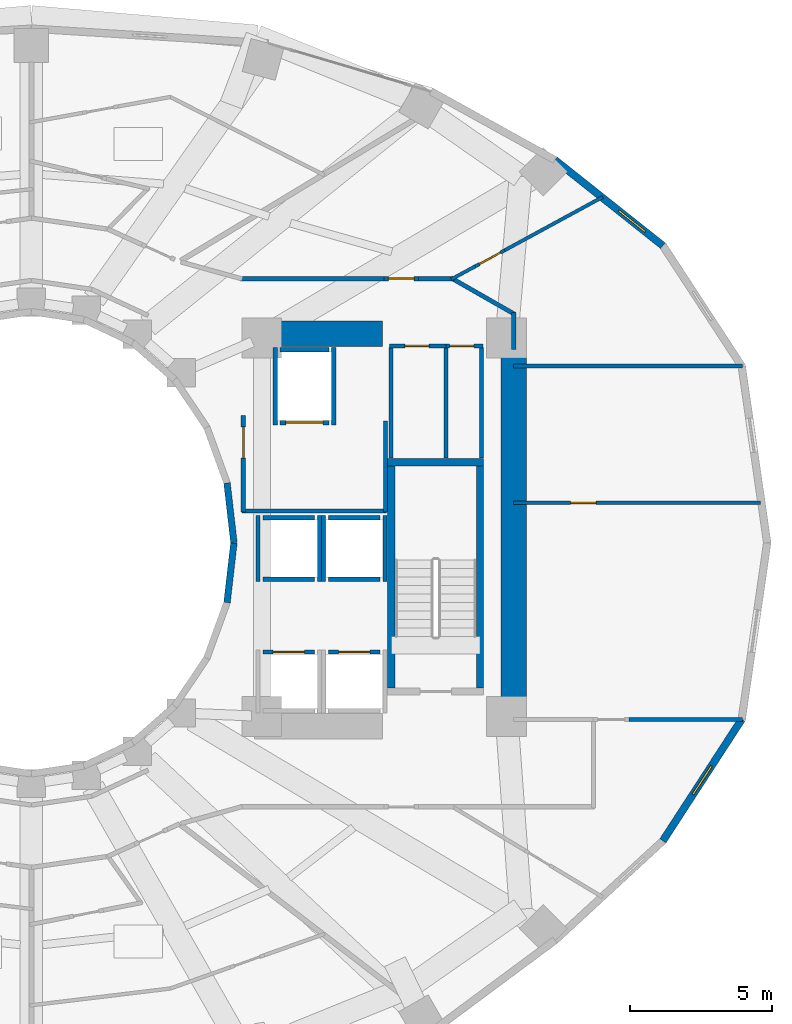
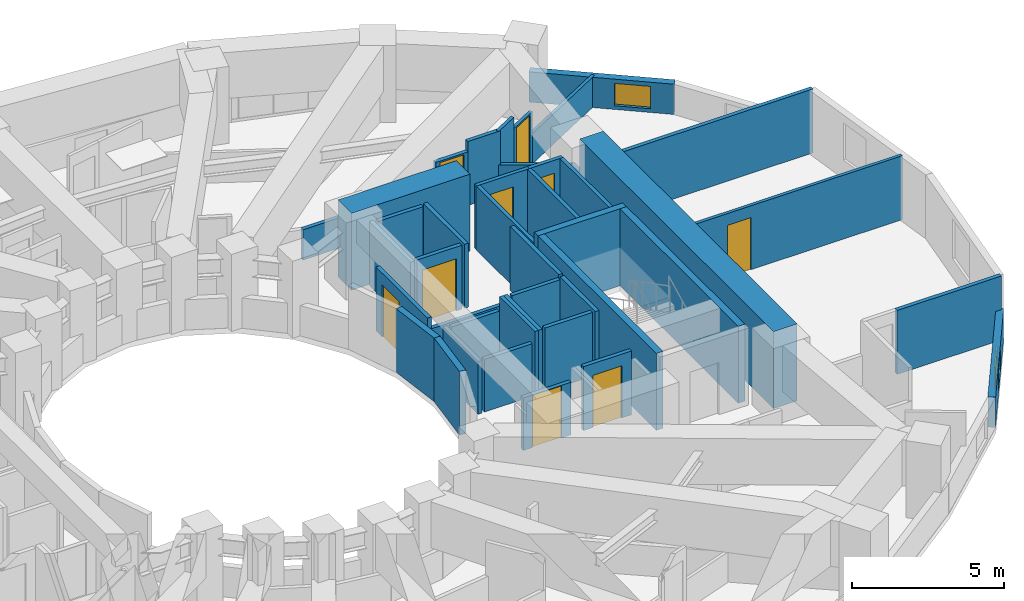
# One storey, part 12 of 16: 42 walls, 9 doors, 2 windows, 11 openings.
"""IFC4 building model written with IfcOpenShell, lengths in metres."""

from ifc_helpers import new_model, si_unit, direction, frame, frame_2d, origin, place, context, subcontext, project, spatial, rectangle, extrude, material, layer, layer_set, type_object, element, fill, save


model = new_model("IFC4")

# Units and contexts
model_context = context("Model", 3, precision=1e-05, world=origin(), true_north=direction((0.0, 1.0)))
body_context = subcontext(model_context, "Body", "Model", "MODEL_VIEW")
ifc_project = project(units=[si_unit("LENGTHUNIT", "METRE"), si_unit("AREAUNIT", "SQUARE_METRE"), si_unit("VOLUMEUNIT", "CUBIC_METRE"), si_unit("PLANEANGLEUNIT", "RADIAN"), si_unit("MASSUNIT", "GRAM", prefix="KILO")], contexts=[model_context])

# Site, building, storey
site_placement = place(None, origin())
site = spatial("IfcSite", under=ifc_project, at=site_placement, CompositionType="ELEMENT")
building_placement = place(site_placement, origin())
building = spatial("IfcBuilding", under=site, at=building_placement, Name="Solvane Sanctuary Tower", CompositionType="ELEMENT")
storey_placement = place(building_placement, frame((0.0, 0.0, 61.699951171875)))
storey = spatial("IfcBuildingStorey", under=building, at=storey_placement, Name="L18", CompositionType="ELEMENT", Elevation=61.699951171875)

# Walls
ifc_material_1 = material(Name="Concrete C70/85", Category="concrete")
ifc_layer_1 = layer(ifc_material_1, 0.89990234375, Name="Concrete C70/85")
ifc_layer_set_1 = layer_set([ifc_layer_1], Name="Concrete C70/85")
wall_type_1 = type_object("IfcWallType", Name="Wall W-CORE-900", PredefinedType="SHEAR", material=ifc_layer_set_1)
wall_1_placement = place(storey_placement, frame((48.949951171875, 17.050048828125, 0.0), z_axis=(0.0, 0.0, 1.0), x_axis=(0.0, 1.0, 0.0)))
element("IfcWall", 1, at=wall_1_placement, inside=storey, type_object=wall_type_1, Name="L18 Core Shear Wall EC-E", PredefinedType="SHEAR", context=body_context, shape_type="SweptSolid", body=[
    extrude(rectangle(XDim=12.800048828125, YDim=0.89990234375, at=frame_2d((6.39990234375, 0.0))), origin(), (0.0, 0.0, 1.0), 3.10009765625),
])
wall_2_placement = place(storey_placement, frame((39.85009765625, 30.35009765625, 0.0), z_axis=(0.0, 0.0, 1.0), x_axis=(1.0, 0.0, 0.0)))
element("IfcWall", 2, at=wall_2_placement, inside=storey, type_object=wall_type_1, Name="L18 Core Shear Wall EC-N", PredefinedType="SHEAR", context=body_context, shape_type="SweptSolid", body=[
    extrude(rectangle(XDim=4.5, YDim=0.89990234375, at=frame_2d((2.25, 0.0))), origin(), (0.0, 0.0, 1.0), 3.10009765625),
])
ifc_material_2 = material(Name="Acoustic Gypsum Partition Board")
ifc_layer_2 = layer(ifc_material_2, 0.14990234375, Name="Acoustic Gypsum Partition Board")
ifc_layer_set_2 = layer_set([ifc_layer_2], Name="Acoustic Gypsum Partition Board")
wall_type_2 = type_object("IfcWallType", Name="Wall W-CORR-150", PredefinedType="PARTITIONING", material=ifc_layer_set_2)
wall_3_placement = place(storey_placement, frame((39.39990234375, 24.1201171875, 0.0), z_axis=(0.0, 0.0, 1.0), x_axis=(1.0, 0.0, 0.0)))
element("IfcWall", 3, at=wall_3_placement, inside=storey, type_object=wall_type_2, Name="L18 East Firefighting Lobby South Wall", PredefinedType="PARTITIONING", context=body_context, shape_type="SweptSolid", body=[
    extrude(rectangle(XDim=5.080078125, YDim=0.14990234375, at=frame_2d((2.5400390625, 0.0))), origin(), (0.0, 0.0, 1.0), 2.1201171875),
])
wall_4_placement = place(storey_placement, frame((44.449951171875, 24.080078125, 0.0), z_axis=(0.0, 0.0, 1.0), x_axis=(0.0, 1.0, 0.0)))
element("IfcWall", 4, at=wall_4_placement, inside=storey, type_object=wall_type_2, Name="L18 East Firefighting Lobby East Wall", PredefinedType="PARTITIONING", context=body_context, shape_type="SweptSolid", body=[
    extrude(rectangle(XDim=3.199951171875, YDim=0.14990234375, at=frame_2d((1.60009765625, 0.0))), origin(), (0.0, 0.0, 1.0), 2.574951171875),
])

# Wall, opening, door
wall_5_placement = place(storey_placement, frame((39.449951171875, 24.080078125, 0.0), z_axis=(0.0, 0.0, 1.0), x_axis=(0.0, 1.0, 0.0)))
wall_5 = element("IfcWall", 5, at=wall_5_placement, inside=storey, type_object=wall_type_2, Name="L18 East Firefighting Lobby West Wall", PredefinedType="PARTITIONING", context=body_context, shape_type="SweptSolid", body=[
    extrude(rectangle(XDim=3.39990234375, YDim=0.14990234375, at=frame_2d((1.699951171875, 0.0))), origin(), (0.0, 0.0, 1.0), 2.574951171875),
])
opening_1_placement = place(wall_5_placement, frame((1.893798828125, 0.0, 0.0)))
opening_1 = element("IfcOpeningElement", 6, at=opening_1_placement, cuts=wall_5, Name="Opening D-L18-05", PredefinedType="OPENING", context=body_context, shape_type="SweptSolid", body=[
    extrude(rectangle(XDim=1.10009765625, YDim=2.10009765625, at=frame_2d((0.550048828125, 1.050048828125))), frame((0.0, 0.0849609375, 0.0), z_axis=(0.0, -1.0, 0.0), x_axis=(1.0, 0.0, 0.0)), (0.0, 0.0, 1.0), 0.169921875),
])
ifc_material_3 = material(Name="Architectural Stainless Steel 316", Category="steel")
door_type_1 = type_object("IfcDoorType", Name="Door D-FFL", OperationType="NOTDEFINED", PredefinedType="DOOR", material=ifc_material_3)
door_1_placement = place(opening_1_placement, origin())
door_1 = element("IfcDoor", 7, at=door_1_placement, inside=storey, type_object=door_type_1, Name="L18 East Firefighting Lobby Fire Door", OperationType="SINGLE_SWING_RIGHT", OverallHeight=2.10009765625, OverallWidth=1.10009765625, PredefinedType="DOOR", context=body_context, shape_type="SweptSolid", body=[
    extrude(rectangle(XDim=1.10009765625, YDim=2.10009765625, at=frame_2d((0.550048828125, 1.050048828125))), frame((0.0, 0.02490234375, 0.0), z_axis=(0.0, -1.0, 0.0), x_axis=(1.0, 0.0, 0.0)), (0.0, 0.0, 1.0), 0.050048828125),
])
fill(opening_1, door_1)

# Walls
wall_6_placement = place(storey_placement, frame((53.012939453125, 16.788330078125, 0.0), z_axis=(0.0, 0.0, 1.0), x_axis=(1.0, 0.0, 0.0)))
element("IfcWall", 8, at=wall_6_placement, inside=storey, type_object=wall_type_2, Name="L18 East Shoulder South Wall", PredefinedType="PARTITIONING", context=body_context, shape_type="SweptSolid", body=[
    extrude(rectangle(XDim=3.973388671875, YDim=0.14990234375, at=frame_2d((1.98681640625, 0.0))), origin(), (0.0, 0.0, 1.0), 2.574951171875),
])
wall_7_placement = place(storey_placement, frame((48.949951171875, 29.211669921875, 0.0), z_axis=(0.0, 0.0, 1.0), x_axis=(1.0, 0.0, 0.0)))
element("IfcWall", 9, at=wall_7_placement, inside=storey, type_object=wall_type_2, Name="L18 East Shoulder North Wall", PredefinedType="PARTITIONING", context=body_context, shape_type="SweptSolid", body=[
    extrude(rectangle(XDim=8.036376953125, YDim=0.14990234375, at=frame_2d((4.01806640625, 0.0))), origin(), (0.0, 0.0, 1.0), 2.574951171875),
])
wall_8_placement = place(storey_placement, frame((48.949951171875, 29.800048828125, 0.0), z_axis=(0.0, 0.0, 1.0), x_axis=(0.0, 1.0, 0.0)))
element("IfcWall", 10, at=wall_8_placement, inside=storey, type_object=wall_type_2, Name="L18 NE Corner Closer 1", PredefinedType="PARTITIONING", context=body_context, shape_type="SweptSolid", body=[
    extrude(rectangle(XDim=1.2900390625, YDim=0.14990234375, at=frame_2d((0.64501953125, 0.0))), origin(), (0.0, 0.0, 1.0), 1.219970703125),
])
wall_9_placement = place(storey_placement, frame((39.330078125, 32.280029296875, 0.0), z_axis=(0.0, 0.0, 1.0), x_axis=(1.0, 0.0, 0.0)))
element("IfcWall", 11, at=wall_9_placement, inside=storey, type_object=wall_type_2, Name="L18 NE Corner Corridor Wall", PredefinedType="PARTITIONING", context=body_context, shape_type="SweptSolid", body=[
    extrude(rectangle(XDim=5.059814453125, YDim=0.14990234375, at=frame_2d((2.52978515625, 0.0))), origin(), (0.0, 0.0, 1.0), 1.219970703125),
])

# Wall, opening, door
wall_10_placement = place(storey_placement, frame((44.389892578125, 32.280029296875, 0.0), z_axis=(0.0, 0.0, 1.0), x_axis=(1.0, 0.0, 0.0)))
wall_10 = element("IfcWall", 12, at=wall_10_placement, inside=storey, type_object=wall_type_2, Name="L18 NE Corner Corridor Wall", PredefinedType="PARTITIONING", context=body_context, shape_type="SweptSolid", body=[
    extrude(rectangle(XDim=1.22021484375, YDim=0.14990234375, at=frame_2d((0.610107421875, 0.0))), origin(), (0.0, 0.0, 1.0), 2.16015625),
])
opening_2_placement = place(wall_10_placement, frame((0.159912109375, 0.0, 0.0)))
opening_2 = element("IfcOpeningElement", 13, at=opening_2_placement, cuts=wall_10, Name="Opening D-L18-14", PredefinedType="OPENING", context=body_context, shape_type="SweptSolid", body=[
    extrude(rectangle(XDim=0.89990234375, YDim=2.10009765625, at=frame_2d((0.449951171875, 1.050048828125))), frame((0.0, 0.0849609375, 0.0), z_axis=(0.0, -1.0, 0.0), x_axis=(1.0, 0.0, 0.0)), (0.0, 0.0, 1.0), 0.169921875),
])
ifc_material_4 = material(Name="Engineered Tropical Hardwood", Category="wood")
door_type_2 = type_object("IfcDoorType", Name="Door D-WET-900", OperationType="NOTDEFINED", PredefinedType="DOOR", material=ifc_material_4)
door_2_placement = place(opening_2_placement, origin())
door_2 = element("IfcDoor", 14, at=door_2_placement, inside=storey, type_object=door_type_2, Name="L18 NE Corner Salon Door", OperationType="SINGLE_SWING_LEFT", OverallHeight=2.10009765625, OverallWidth=0.89990234375, PredefinedType="DOOR", context=body_context, shape_type="SweptSolid", body=[
    extrude(rectangle(XDim=0.89990234375, YDim=2.10009765625, at=frame_2d((0.449951171875, 1.050048828125))), frame((0.0, 0.02490234375, 0.0), z_axis=(0.0, -1.0, 0.0), x_axis=(1.0, 0.0, 0.0)), (0.0, 0.0, 1.0), 0.050048828125),
])
fill(opening_2, door_2)

# Walls
wall_11_placement = place(storey_placement, frame((45.610107421875, 32.280029296875, 0.0), z_axis=(0.0, 0.0, 1.0), x_axis=(1.0, 0.0, 0.0)))
element("IfcWall", 15, at=wall_11_placement, inside=storey, type_object=wall_type_2, Name="L18 NE Corner Corridor Wall", PredefinedType="PARTITIONING", context=body_context, shape_type="SweptSolid", body=[
    extrude(rectangle(XDim=1.239990234375, YDim=0.14990234375, at=frame_2d((0.6201171875, 0.0))), origin(), (0.0, 0.0, 1.0), 2.574951171875),
])
wall_12_placement = place(storey_placement, frame((46.756591796875, 32.3046875, 0.0), z_axis=(0.0, 0.0, 1.0), x_axis=(0.867991349648, -0.496579315857, 0.0)))
element("IfcWall", 16, at=wall_12_placement, inside=storey, type_object=wall_type_2, Name="L18 NE Corner Wing Wall", PredefinedType="PARTITIONING", context=body_context, shape_type="SweptSolid", body=[
    extrude(rectangle(XDim=2.56689453125, YDim=0.14990234375, at=frame_2d((1.283447265625, 0.0))), origin(), (0.0, 0.0, 1.0), 1.219970703125),
])

# Wall, opening, window
ifc_material_5 = material(Name="Precast concrete C40/50", Category="concrete")
ifc_layer_3 = layer(ifc_material_5, 0.260009765625, Name="Precast concrete C40/50")
ifc_layer_set_3 = layer_set([ifc_layer_3], Name="Precast concrete C40/50")
wall_type_3 = type_object("IfcWallType", Name="Wall W-EXT-250", PredefinedType="STANDARD", material=ifc_layer_set_3)
wall_13_placement = place(storey_placement, frame((54.19384765625, 33.44091796875, 0.0), z_axis=(0.0, 0.0, 1.0), x_axis=(-0.783123133379, 0.621866672179, 0.0)))
wall_13 = element("IfcWall", 17, at=wall_13_placement, inside=storey, type_object=wall_type_3, Name="L18 Ceramic-Printed Facade Wall 02", PredefinedType="STANDARD", context=body_context, shape_type="SweptSolid", body=[
    extrude(rectangle(XDim=4.838623046875, YDim=0.260009765625, at=frame_2d((2.41943359375, 0.0))), origin(), (0.0, 0.0, 1.0), 1.219970703125),
])
opening_3_placement = place(wall_13_placement, frame((0.789306640625, 0.0, 0.14990234375)))
opening_3 = element("IfcOpeningElement", 18, at=opening_3_placement, cuts=wall_13, Name="Opening WN-OPER-1200", PredefinedType="OPENING", context=body_context, shape_type="SweptSolid", body=[
    extrude(rectangle(XDim=1.199951171875, YDim=0.89990234375, at=frame_2d((0.60009765625, 0.449951171875))), frame((0.0, 0.139892578125, 0.0), z_axis=(0.0, -1.0, 0.0), x_axis=(1.0, 0.0, 0.0)), (0.0, 0.0, 1.0), 0.280029296875),
])
ifc_material_6 = material(Name="Dark Ceramic-Fritted Low-E Glass", Category="glass")
window_type = type_object("IfcWindowType", Name="Window WN-OPER-1200", PartitioningType="SINGLE_PANEL", PredefinedType="WINDOW", material=ifc_material_6)
window_1_placement = place(opening_3_placement, origin())
window_1 = element("IfcWindow", 19, at=window_1_placement, inside=storey, type_object=window_type, Name="L18 Operable Facade Window 02", OverallHeight=0.89990234375, OverallWidth=1.199951171875, PartitioningType="SINGLE_PANEL", PredefinedType="WINDOW", context=body_context, shape_type="SweptSolid", body=[
    extrude(rectangle(XDim=1.199951171875, YDim=0.89990234375, at=frame_2d((0.60009765625, 0.449951171875))), frame((0.0, 0.030029296875, 0.0), z_axis=(0.0, -1.0, 0.0), x_axis=(1.0, 0.0, 0.0)), (0.0, 0.0, 1.0), 0.06005859375),
])
fill(opening_3, window_1)

wall_14_placement = place(storey_placement, frame((54.19384765625, 12.5244140625, 0.0), z_axis=(0.0, 0.0, 1.0), x_axis=(0.544578722263, 0.838709732421, 0.0)))
wall_14 = element("IfcWall", 20, at=wall_14_placement, inside=storey, type_object=wall_type_3, Name="L18 Ceramic-Printed Facade Wall 22", PredefinedType="STANDARD", context=body_context, shape_type="SweptSolid", body=[
    extrude(rectangle(XDim=5.091552734375, YDim=0.260009765625, at=frame_2d((2.5458984375, 0.0))), origin(), (0.0, 0.0, 1.0), 1.219970703125),
])
opening_4_placement = place(wall_14_placement, frame((1.94580078125, 0.0, 0.14990234375)))
opening_4 = element("IfcOpeningElement", 21, at=opening_4_placement, cuts=wall_14, Name="Opening WN-OPER-1200", PredefinedType="OPENING", context=body_context, shape_type="SweptSolid", body=[
    extrude(rectangle(XDim=1.199951171875, YDim=0.89990234375, at=frame_2d((0.60009765625, 0.449951171875))), frame((0.0, 0.139892578125, 0.0), z_axis=(0.0, -1.0, 0.0), x_axis=(1.0, 0.0, 0.0)), (0.0, 0.0, 1.0), 0.280029296875),
])
window_2_placement = place(opening_4_placement, origin())
window_2 = element("IfcWindow", 22, at=window_2_placement, inside=storey, type_object=window_type, Name="L18 Operable Facade Window 22", OverallHeight=0.89990234375, OverallWidth=1.199951171875, PartitioningType="SINGLE_PANEL", PredefinedType="WINDOW", context=body_context, shape_type="SweptSolid", body=[
    extrude(rectangle(XDim=1.199951171875, YDim=0.89990234375, at=frame_2d((0.60009765625, 0.449951171875))), frame((0.0, 0.030029296875, 0.0), z_axis=(0.0, -1.0, 0.0), x_axis=(1.0, 0.0, 0.0)), (0.0, 0.0, 1.0), 0.06005859375),
])
fill(opening_4, window_2)

# Walls
ifc_layer_4 = layer(ifc_material_5, 0.22998046875, Name="Precast concrete C40/50")
ifc_layer_set_4 = layer_set([ifc_layer_4], Name="Precast concrete C40/50")
wall_type_4 = type_object("IfcWallType", Name="Wall W-EXT-SP220", PredefinedType="STANDARD", material=ifc_layer_set_4)
for number, where, z_axis, x_axis, name in (
    (23, (39.1201171875, 23.0, 0.0), (0.0, 0.0, 1.0), (-0.114711713601, 0.993398823617, 0.0), "L18 Central Light-Well Wall 00"),
    (24, (38.87744140625, 20.8984375, 0.0), (0.0, 0.0, 1.0), (0.114711713601, 0.993398823617, 0.0), "L18 Central Light-Well Wall 23"),
):
    element("IfcWall", number, at=place(storey_placement, frame(where, z_axis=z_axis, x_axis=x_axis)), inside=storey, type_object=wall_type_4, Name=name, PredefinedType="STANDARD", context=body_context, shape_type="SweptSolid", body=[
        extrude(rectangle(XDim=2.115478515625, YDim=0.22998046875, at=frame_2d((1.0576171875, 0.0))), origin(), (0.0, 0.0, 1.0), 2.56005859375),
    ])

# Wall, opening, door
ifc_layer_5 = layer(ifc_material_2, 0.1201171875, Name="Acoustic Gypsum Partition Board")
ifc_layer_set_5 = layer_set([ifc_layer_5], Name="Acoustic Gypsum Partition Board")
wall_type_5 = type_object("IfcWallType", Name="Wall W-MOV-100", PredefinedType="MOVABLE", material=ifc_layer_set_5)
wall_15_placement = place(storey_placement, frame((48.949951171875, 24.39990234375, 0.0), z_axis=(0.0, 0.0, 1.0), x_axis=(1.0, 0.0, 0.0)))
wall_15 = element("IfcWall", 25, at=wall_15_placement, inside=storey, type_object=wall_type_5, Name="L18 East Suite Partition", PredefinedType="MOVABLE", context=body_context, shape_type="SweptSolid", body=[
    extrude(rectangle(XDim=8.668701171875, YDim=0.1201171875, at=frame_2d((4.33447265625, 0.0))), origin(), (0.0, 0.0, 1.0), 2.574951171875),
])
opening_5_placement = place(wall_15_placement, frame((2.0, 0.0, 0.0)))
opening_5 = element("IfcOpeningElement", 26, at=opening_5_placement, cuts=wall_15, Name="Opening D-L18-11", PredefinedType="OPENING", context=body_context, shape_type="SweptSolid", body=[
    extrude(rectangle(XDim=0.89990234375, YDim=2.10009765625, at=frame_2d((0.449951171875, 1.050048828125))), frame((0.0, 0.070068359375, 0.0), z_axis=(0.0, -1.0, 0.0), x_axis=(1.0, 0.0, 0.0)), (0.0, 0.0, 1.0), 0.14013671875),
])
door_3_placement = place(opening_5_placement, origin())
door_3 = element("IfcDoor", 27, at=door_3_placement, inside=storey, type_object=door_type_2, Name="L18 East Suite Internal Door", OperationType="SINGLE_SWING_RIGHT", OverallHeight=2.10009765625, OverallWidth=0.89990234375, PredefinedType="DOOR", context=body_context, shape_type="SweptSolid", body=[
    extrude(rectangle(XDim=0.89990234375, YDim=2.10009765625, at=frame_2d((0.449951171875, 1.050048828125))), frame((0.0, 0.02490234375, 0.0), z_axis=(0.0, -1.0, 0.0), x_axis=(1.0, 0.0, 0.0)), (0.0, 0.0, 1.0), 0.050048828125),
])
fill(opening_5, door_3)

# Wall
wall_16_placement = place(storey_placement, frame((46.756103515625, 32.256103515625, 0.0), z_axis=(0.0, 0.0, 1.0), x_axis=(0.878580692024, 0.477593935894, 0.0)))
element("IfcWall", 28, at=wall_16_placement, inside=storey, type_object=wall_type_5, Name="L18 NE Corner Suite Partition", PredefinedType="MOVABLE", context=body_context, shape_type="SweptSolid", body=[
    extrude(rectangle(XDim=0.965576171875, YDim=0.1201171875, at=frame_2d((0.48291015625, 0.0))), origin(), (0.0, 0.0, 1.0), 2.574951171875),
])

# Wall, opening, door
wall_17_placement = place(storey_placement, frame((47.6044921875, 32.71728515625, 0.0), z_axis=(0.0, 0.0, 1.0), x_axis=(0.878540750178, 0.4776674055, 0.0)))
wall_17 = element("IfcWall", 29, at=wall_17_placement, inside=storey, type_object=wall_type_5, Name="L18 NE Corner Suite Partition", PredefinedType="MOVABLE", context=body_context, shape_type="SweptSolid", body=[
    extrude(rectangle(XDim=1.169921875, YDim=0.1201171875, at=frame_2d((0.5849609375, 0.0))), origin(), (0.0, 0.0, 1.0), 2.110107421875),
])
opening_6_placement = place(wall_17_placement, frame((0.159912109375, 0.0, 0.0)))
opening_6 = element("IfcOpeningElement", 30, at=opening_6_placement, cuts=wall_17, Name="Opening D-L18-13", PredefinedType="OPENING", context=body_context, shape_type="SweptSolid", body=[
    extrude(rectangle(XDim=0.85009765625, YDim=2.050048828125, at=frame_2d((0.425048828125, 1.02490234375))), frame((0.0, 0.070068359375, 0.0), z_axis=(0.0, -1.0, 0.0), x_axis=(1.0, 0.0, 0.0)), (0.0, 0.0, 1.0), 0.14013671875),
])
door_type_3 = type_object("IfcDoorType", Name="Door D-RISER", OperationType="NOTDEFINED", PredefinedType="DOOR", material=ifc_material_3)
door_4_placement = place(opening_6_placement, origin())
door_4 = element("IfcDoor", 31, at=door_4_placement, inside=storey, type_object=door_type_3, Name="L18 NE Corner Suite Door", OperationType="SINGLE_SWING_RIGHT", OverallHeight=2.050048828125, OverallWidth=0.85009765625, PredefinedType="DOOR", context=body_context, shape_type="SweptSolid", body=[
    extrude(rectangle(XDim=0.85009765625, YDim=2.050048828125, at=frame_2d((0.425048828125, 1.02490234375))), frame((0.0, 0.02490234375, 0.0), z_axis=(0.0, -1.0, 0.0), x_axis=(1.0, 0.0, 0.0)), (0.0, 0.0, 1.0), 0.050048828125),
])
fill(opening_6, door_4)

# Wall
wall_18_placement = place(storey_placement, frame((48.63232421875, 33.276123046875, 0.0), z_axis=(0.0, 0.0, 1.0), x_axis=(0.878543913196, 0.477661587932, 0.0)))
element("IfcWall", 32, at=wall_18_placement, inside=storey, type_object=wall_type_5, Name="L18 NE Corner Suite Partition", PredefinedType="MOVABLE", context=body_context, shape_type="SweptSolid", body=[
    extrude(rectangle(XDim=3.923828125, YDim=0.1201171875, at=frame_2d((1.9619140625, 0.0))), origin(), (0.0, 0.0, 1.0), 1.219970703125),
])

# Wall, opening, door
ifc_material_7 = material(Name="Concrete C50/60", Category="concrete")
ifc_layer_6 = layer(ifc_material_7, 0.14990234375, Name="Concrete C50/60")
ifc_layer_set_6 = layer_set([ifc_layer_6], Name="Concrete C50/60")
wall_type_6 = type_object("IfcWallType", Name="Wall W-SHAFT-150", PredefinedType="SOLIDWALL", material=ifc_layer_set_6)
wall_19_placement = place(storey_placement, frame((40.139892578125, 19.159912109375, 0.0), z_axis=(0.0, 0.0, 1.0), x_axis=(1.0, 0.0, 0.0)))
wall_19 = element("IfcWall", 33, at=wall_19_placement, inside=storey, type_object=wall_type_6, Name="L18 PL-3 Lift Shaft Wall F", PredefinedType="SOLIDWALL", context=body_context, shape_type="SweptSolid", body=[
    extrude(rectangle(XDim=1.820068359375, YDim=0.14990234375, at=frame_2d((0.91015625, 0.0))), origin(), (0.0, 0.0, 1.0), 2.1201171875),
])
opening_7_placement = place(wall_19_placement, frame((0.360107421875, 0.0, 0.0)))
opening_7 = element("IfcOpeningElement", 34, at=opening_7_placement, cuts=wall_19, Name="Opening LD-L18-03", PredefinedType="OPENING", context=body_context, shape_type="SweptSolid", body=[
    extrude(rectangle(XDim=1.10009765625, YDim=2.10009765625, at=frame_2d((0.550048828125, 1.050048828125))), frame((0.0, 0.0849609375, 0.0), z_axis=(0.0, -1.0, 0.0), x_axis=(1.0, 0.0, 0.0)), (0.0, 0.0, 1.0), 0.169921875),
])
door_type_4 = type_object("IfcDoorType", Name="Door LD-PASS-1100", OperationType="NOTDEFINED", PredefinedType="DOOR", material=ifc_material_3)
door_5_placement = place(opening_7_placement, origin())
door_5 = element("IfcDoor", 35, at=door_5_placement, inside=storey, type_object=door_type_4, Name="L18 PL-3 Lift Landing Door", OperationType="DOUBLE_DOOR_SLIDING", OverallHeight=2.10009765625, OverallWidth=1.10009765625, PredefinedType="DOOR", context=body_context, shape_type="SweptSolid", body=[
    extrude(rectangle(XDim=1.10009765625, YDim=2.10009765625, at=frame_2d((0.550048828125, 1.050048828125))), frame((0.0, 0.02490234375, 0.0), z_axis=(0.0, -1.0, 0.0), x_axis=(1.0, 0.0, 0.0)), (0.0, 0.0, 1.0), 0.050048828125),
])
fill(opening_7, door_5)

wall_20_placement = place(storey_placement, frame((42.43994140625, 19.159912109375, 0.0), z_axis=(0.0, 0.0, 1.0), x_axis=(1.0, 0.0, 0.0)))
wall_20 = element("IfcWall", 36, at=wall_20_placement, inside=storey, type_object=wall_type_6, Name="L18 PL-4 Lift Shaft Wall F", PredefinedType="SOLIDWALL", context=body_context, shape_type="SweptSolid", body=[
    extrude(rectangle(XDim=1.820068359375, YDim=0.14990234375, at=frame_2d((0.91015625, 0.0))), origin(), (0.0, 0.0, 1.0), 2.574951171875),
])
opening_8_placement = place(wall_20_placement, frame((0.360107421875, 0.0, 0.0)))
opening_8 = element("IfcOpeningElement", 37, at=opening_8_placement, cuts=wall_20, Name="Opening LD-L18-04", PredefinedType="OPENING", context=body_context, shape_type="SweptSolid", body=[
    extrude(rectangle(XDim=1.10009765625, YDim=2.10009765625, at=frame_2d((0.550048828125, 1.050048828125))), frame((0.0, 0.0849609375, 0.0), z_axis=(0.0, -1.0, 0.0), x_axis=(1.0, 0.0, 0.0)), (0.0, 0.0, 1.0), 0.169921875),
])
door_6_placement = place(opening_8_placement, origin())
door_6 = element("IfcDoor", 38, at=door_6_placement, inside=storey, type_object=door_type_4, Name="L18 PL-4 Lift Landing Door", OperationType="DOUBLE_DOOR_SLIDING", OverallHeight=2.10009765625, OverallWidth=1.10009765625, PredefinedType="DOOR", context=body_context, shape_type="SweptSolid", body=[
    extrude(rectangle(XDim=1.10009765625, YDim=2.10009765625, at=frame_2d((0.550048828125, 1.050048828125))), frame((0.0, 0.02490234375, 0.0), z_axis=(0.0, -1.0, 0.0), x_axis=(1.0, 0.0, 0.0)), (0.0, 0.0, 1.0), 0.050048828125),
])
fill(opening_8, door_6)

# Walls
for number, where, z_axis, x_axis, name in (
    (39, (42.43994140625, 21.719970703125, 0.0), (0.0, 0.0, 1.0), (1.0, 0.0, 0.0), "L18 PM-2 Lift Shaft Wall F"),
    (40, (42.43994140625, 23.8798828125, 0.0), (0.0, 0.0, 1.0), (1.0, 0.0, 0.0), "L18 PM-2 Lift Shaft Wall B"),
):
    element("IfcWall", number, at=place(storey_placement, frame(where, z_axis=z_axis, x_axis=x_axis)), inside=storey, type_object=wall_type_6, Name=name, PredefinedType="SOLIDWALL", context=body_context, shape_type="SweptSolid", body=[
        extrude(rectangle(XDim=1.820068359375, YDim=0.14990234375, at=frame_2d((0.91015625, 0.0))), origin(), (0.0, 0.0, 1.0), 2.574951171875),
    ])
for number, where, z_axis, x_axis, name in (
    (41, (42.27001953125, 21.639892578125, 0.0), (0.0, 0.0, 1.0), (0.0, 1.0, 0.0), "L18 PM-2 Lift Shaft Wall S1"),
    (42, (44.429931640625, 21.639892578125, 0.0), (0.0, 0.0, 1.0), (0.0, 1.0, 0.0), "L18 PM-2 Lift Shaft Wall S2"),
):
    element("IfcWall", number, at=place(storey_placement, frame(where, z_axis=z_axis, x_axis=x_axis)), inside=storey, type_object=wall_type_6, Name=name, PredefinedType="SOLIDWALL", context=body_context, shape_type="SweptSolid", body=[
        extrude(rectangle(XDim=2.320068359375, YDim=0.14990234375, at=frame_2d((1.16015625, 0.0))), origin(), (0.0, 0.0, 1.0), 2.574951171875),
    ])
for number, where, z_axis, x_axis, name in (
    (43, (40.139892578125, 21.719970703125, 0.0), (0.0, 0.0, 1.0), (1.0, 0.0, 0.0), "L18 PH-2 Lift Shaft Wall F"),
    (44, (40.139892578125, 23.8798828125, 0.0), (0.0, 0.0, 1.0), (1.0, 0.0, 0.0), "L18 PH-2 Lift Shaft Wall B"),
):
    element("IfcWall", number, at=place(storey_placement, frame(where, z_axis=z_axis, x_axis=x_axis)), inside=storey, type_object=wall_type_6, Name=name, PredefinedType="SOLIDWALL", context=body_context, shape_type="SweptSolid", body=[
        extrude(rectangle(XDim=1.820068359375, YDim=0.14990234375, at=frame_2d((0.91015625, 0.0))), origin(), (0.0, 0.0, 1.0), 2.1201171875),
    ])
wall_21_placement = place(storey_placement, frame((39.969970703125, 21.639892578125, 0.0), z_axis=(0.0, 0.0, 1.0), x_axis=(0.0, 1.0, 0.0)))
element("IfcWall", 45, at=wall_21_placement, inside=storey, type_object=wall_type_6, Name="L18 PH-2 Lift Shaft Wall S1", PredefinedType="SOLIDWALL", context=body_context, shape_type="SweptSolid", body=[
    extrude(rectangle(XDim=2.320068359375, YDim=0.14990234375, at=frame_2d((1.16015625, 0.0))), origin(), (0.0, 0.0, 1.0), 2.1201171875),
])
wall_22_placement = place(storey_placement, frame((42.1298828125, 21.639892578125, 0.0), z_axis=(0.0, 0.0, 1.0), x_axis=(0.0, 1.0, 0.0)))
element("IfcWall", 46, at=wall_22_placement, inside=storey, type_object=wall_type_6, Name="L18 PH-2 Lift Shaft Wall S2", PredefinedType="SOLIDWALL", context=body_context, shape_type="SweptSolid", body=[
    extrude(rectangle(XDim=2.320068359375, YDim=0.14990234375, at=frame_2d((1.16015625, 0.0))), origin(), (0.0, 0.0, 1.0), 2.574951171875),
])

# Wall, opening, door
wall_23_placement = place(storey_placement, frame((40.739990234375, 27.219970703125, 0.0), z_axis=(0.0, 0.0, 1.0), x_axis=(1.0, 0.0, 0.0)))
wall_23 = element("IfcWall", 47, at=wall_23_placement, inside=storey, type_object=wall_type_6, Name="L18 FFL-2 Lift Shaft Wall F", PredefinedType="SOLIDWALL", context=body_context, shape_type="SweptSolid", body=[
    extrude(rectangle(XDim=1.719970703125, YDim=0.14990234375, at=frame_2d((0.85986328125, 0.0))), origin(), (0.0, 0.0, 1.0), 2.574951171875),
])
opening_9_placement = place(wall_23_placement, frame((0.2099609375, 0.0, 0.0)))
opening_9 = element("IfcOpeningElement", 48, at=opening_9_placement, cuts=wall_23, Name="Opening LD-L18-07", PredefinedType="OPENING", context=body_context, shape_type="SweptSolid", body=[
    extrude(rectangle(XDim=1.300048828125, YDim=2.10009765625, at=frame_2d((0.64990234375, 1.050048828125))), frame((0.0, 0.0849609375, 0.0), z_axis=(0.0, -1.0, 0.0), x_axis=(1.0, 0.0, 0.0)), (0.0, 0.0, 1.0), 0.169921875),
])
door_type_5 = type_object("IfcDoorType", Name="Door LD-FFL-1300", OperationType="NOTDEFINED", PredefinedType="DOOR", material=ifc_material_3)
door_7_placement = place(opening_9_placement, origin())
door_7 = element("IfcDoor", 49, at=door_7_placement, inside=storey, type_object=door_type_5, Name="L18 FFL-2 Lift Landing Door", OperationType="DOUBLE_DOOR_SLIDING", OverallHeight=2.10009765625, OverallWidth=1.300048828125, PredefinedType="DOOR", context=body_context, shape_type="SweptSolid", body=[
    extrude(rectangle(XDim=1.300048828125, YDim=2.10009765625, at=frame_2d((0.64990234375, 1.050048828125))), frame((0.0, 0.02490234375, 0.0), z_axis=(0.0, -1.0, 0.0), x_axis=(1.0, 0.0, 0.0)), (0.0, 0.0, 1.0), 0.050048828125),
])
fill(opening_9, door_7)

# Walls
wall_24_placement = place(storey_placement, frame((40.739990234375, 29.780029296875, 0.0), z_axis=(0.0, 0.0, 1.0), x_axis=(1.0, 0.0, 0.0)))
element("IfcWall", 50, at=wall_24_placement, inside=storey, type_object=wall_type_6, Name="L18 FFL-2 Lift Shaft Wall B", PredefinedType="SOLIDWALL", context=body_context, shape_type="SweptSolid", body=[
    extrude(rectangle(XDim=1.719970703125, YDim=0.14990234375, at=frame_2d((0.85986328125, 0.0))), origin(), (0.0, 0.0, 1.0), 2.574951171875),
])
for number, where, z_axis, x_axis, name in (
    (51, (40.570068359375, 27.139892578125, 0.0), (0.0, 0.0, 1.0), (0.0, 1.0, 0.0), "L18 FFL-2 Lift Shaft Wall S1"),
    (52, (42.6298828125, 27.139892578125, 0.0), (0.0, 0.0, 1.0), (0.0, 1.0, 0.0), "L18 FFL-2 Lift Shaft Wall S2"),
):
    element("IfcWall", number, at=place(storey_placement, frame(where, z_axis=z_axis, x_axis=x_axis)), inside=storey, type_object=wall_type_6, Name=name, PredefinedType="SOLIDWALL", context=body_context, shape_type="SweptSolid", body=[
        extrude(rectangle(XDim=2.72021484375, YDim=0.14990234375, at=frame_2d((1.360107421875, 0.0))), origin(), (0.0, 0.0, 1.0), 2.574951171875),
    ])
ifc_layer_7 = layer(ifc_material_7, 0.25, Name="Concrete C50/60")
ifc_layer_set_7 = layer_set([ifc_layer_7], Name="Concrete C50/60")
wall_type_7 = type_object("IfcWallType", Name="Wall W-SHAFT-250", PredefinedType="SOLIDWALL", material=ifc_layer_set_7)
wall_25_placement = place(storey_placement, frame((44.52490234375, 25.830078125, 0.0), z_axis=(0.0, 0.0, 1.0), x_axis=(1.0, 0.0, 0.0)))
element("IfcWall", 53, at=wall_25_placement, inside=storey, type_object=wall_type_7, Name="L18 ST-2 Load-Bearing Shaft Wall N", PredefinedType="SOLIDWALL", context=body_context, shape_type="SweptSolid", body=[
    extrude(rectangle(XDim=3.3701171875, YDim=0.25, at=frame_2d((1.68505859375, 0.0))), origin(), (0.0, 0.0, 1.0), 3.10009765625),
])
for number, where, z_axis, x_axis, name in (
    (54, (44.64990234375, 17.89501953125, 0.0), (0.0, 0.0, 1.0), (0.0, 1.0, 0.0), "L18 ST-2 Load-Bearing Shaft Wall W"),
    (55, (47.77001953125, 17.89501953125, 0.0), (0.0, 0.0, 1.0), (0.0, 1.0, 0.0), "L18 ST-2 Load-Bearing Shaft Wall E"),
):
    element("IfcWall", number, at=place(storey_placement, frame(where, z_axis=z_axis, x_axis=x_axis)), inside=storey, type_object=wall_type_7, Name=name, PredefinedType="SOLIDWALL", context=body_context, shape_type="SweptSolid", body=[
        extrude(rectangle(XDim=7.81005859375, YDim=0.25, at=frame_2d((3.905029296875, 0.0))), origin(), (0.0, 0.0, 1.0), 3.10009765625),
    ])

# Wall, opening, door
ifc_layer_8 = layer(ifc_material_2, 0.139892578125, Name="Acoustic Gypsum Partition Board")
ifc_layer_set_8 = layer_set([ifc_layer_8], Name="Acoustic Gypsum Partition Board")
wall_type_8 = type_object("IfcWallType", Name="Wall W-WET-140", PredefinedType="PLUMBINGWALL", material=ifc_layer_set_8)
wall_26_placement = place(storey_placement, frame((44.580078125, 29.919921875, 0.0), z_axis=(0.0, 0.0, 1.0), x_axis=(1.0, 0.0, 0.0)))
wall_26 = element("IfcWall", 56, at=wall_26_placement, inside=storey, type_object=wall_type_8, Name="L18 Core Service Front Wall KE1", PredefinedType="PLUMBINGWALL", context=body_context, shape_type="SweptSolid", body=[
    extrude(rectangle(XDim=2.0, YDim=0.139892578125, at=frame_2d((1.0, 0.0))), origin(), (0.0, 0.0, 1.0), 2.574951171875),
])
opening_10_placement = place(wall_26_placement, frame((0.550048828125, 0.0, 0.0)))
opening_10 = element("IfcOpeningElement", 57, at=opening_10_placement, cuts=wall_26, Name="Opening D-L18-08", PredefinedType="OPENING", context=body_context, shape_type="SweptSolid", body=[
    extrude(rectangle(XDim=0.85009765625, YDim=2.050048828125, at=frame_2d((0.425048828125, 1.02490234375))), frame((0.0, 0.079833984375, 0.0), z_axis=(0.0, -1.0, 0.0), x_axis=(1.0, 0.0, 0.0)), (0.0, 0.0, 1.0), 0.159912109375),
])
door_8_placement = place(opening_10_placement, origin())
door_8 = element("IfcDoor", 58, at=door_8_placement, inside=storey, type_object=door_type_3, Name="L18 Core Service Room Door KE1-1", OperationType="SINGLE_SWING_LEFT", OverallHeight=2.050048828125, OverallWidth=0.85009765625, PredefinedType="DOOR", context=body_context, shape_type="SweptSolid", body=[
    extrude(rectangle(XDim=0.85009765625, YDim=2.050048828125, at=frame_2d((0.425048828125, 1.02490234375))), frame((0.0, 0.02490234375, 0.0), z_axis=(0.0, -1.0, 0.0), x_axis=(1.0, 0.0, 0.0)), (0.0, 0.0, 1.0), 0.050048828125),
])
fill(opening_10, door_8)

# Walls
for number, where, z_axis, x_axis, name in (
    (59, (44.639892578125, 25.97998046875, 0.0), (0.0, 0.0, 1.0), (0.0, 1.0, 0.0), "L18 Core Service Side Wall KE1-1"),
    (60, (46.580078125, 25.97998046875, 0.0), (0.0, 0.0, 1.0), (0.0, 1.0, 0.0), "L18 Core Service Side Wall KE1-2"),
):
    element("IfcWall", number, at=place(storey_placement, frame(where, z_axis=z_axis, x_axis=x_axis)), inside=storey, type_object=wall_type_8, Name=name, PredefinedType="PLUMBINGWALL", context=body_context, shape_type="SweptSolid", body=[
        extrude(rectangle(XDim=3.880126953125, YDim=0.139892578125, at=frame_2d((1.93994140625, 0.0))), origin(), (0.0, 0.0, 1.0), 2.574951171875),
    ])

# Wall, opening, door
wall_27_placement = place(storey_placement, frame((46.580078125, 29.919921875, 0.0), z_axis=(0.0, 0.0, 1.0), x_axis=(1.0, 0.0, 0.0)))
wall_27 = element("IfcWall", 61, at=wall_27_placement, inside=storey, type_object=wall_type_8, Name="L18 Core Service Front Wall KE2", PredefinedType="PLUMBINGWALL", context=body_context, shape_type="SweptSolid", body=[
    extrude(rectangle(XDim=1.2998046875, YDim=0.139892578125, at=frame_2d((0.64990234375, 0.0))), origin(), (0.0, 0.0, 1.0), 2.574951171875),
])
opening_11_placement = place(wall_27_placement, frame((0.1201171875, 0.0, 0.0)))
opening_11 = element("IfcOpeningElement", 62, at=opening_11_placement, cuts=wall_27, Name="Opening D-L18-09", PredefinedType="OPENING", context=body_context, shape_type="SweptSolid", body=[
    extrude(rectangle(XDim=0.85009765625, YDim=2.050048828125, at=frame_2d((0.425048828125, 1.02490234375))), frame((0.0, 0.079833984375, 0.0), z_axis=(0.0, -1.0, 0.0), x_axis=(1.0, 0.0, 0.0)), (0.0, 0.0, 1.0), 0.159912109375),
])
door_9_placement = place(opening_11_placement, origin())
door_9 = element("IfcDoor", 63, at=door_9_placement, inside=storey, type_object=door_type_3, Name="L18 Core Service Room Door KE2-1", OperationType="SINGLE_SWING_RIGHT", OverallHeight=2.050048828125, OverallWidth=0.85009765625, PredefinedType="DOOR", context=body_context, shape_type="SweptSolid", body=[
    extrude(rectangle(XDim=0.85009765625, YDim=2.050048828125, at=frame_2d((0.425048828125, 1.02490234375))), frame((0.0, 0.02490234375, 0.0), z_axis=(0.0, -1.0, 0.0), x_axis=(1.0, 0.0, 0.0)), (0.0, 0.0, 1.0), 0.050048828125),
])
fill(opening_11, door_9)

# Wall
wall_28_placement = place(storey_placement, frame((47.820068359375, 25.97998046875, 0.0), z_axis=(0.0, 0.0, 1.0), x_axis=(0.0, 1.0, 0.0)))
element("IfcWall", 64, at=wall_28_placement, inside=storey, type_object=wall_type_8, Name="L18 Core Service Side Wall KE2-1", PredefinedType="PLUMBINGWALL", context=body_context, shape_type="SweptSolid", body=[
    extrude(rectangle(XDim=3.880126953125, YDim=0.139892578125, at=frame_2d((1.93994140625, 0.0))), origin(), (0.0, 0.0, 1.0), 2.574951171875),
])

save(model, "model.ifc")
